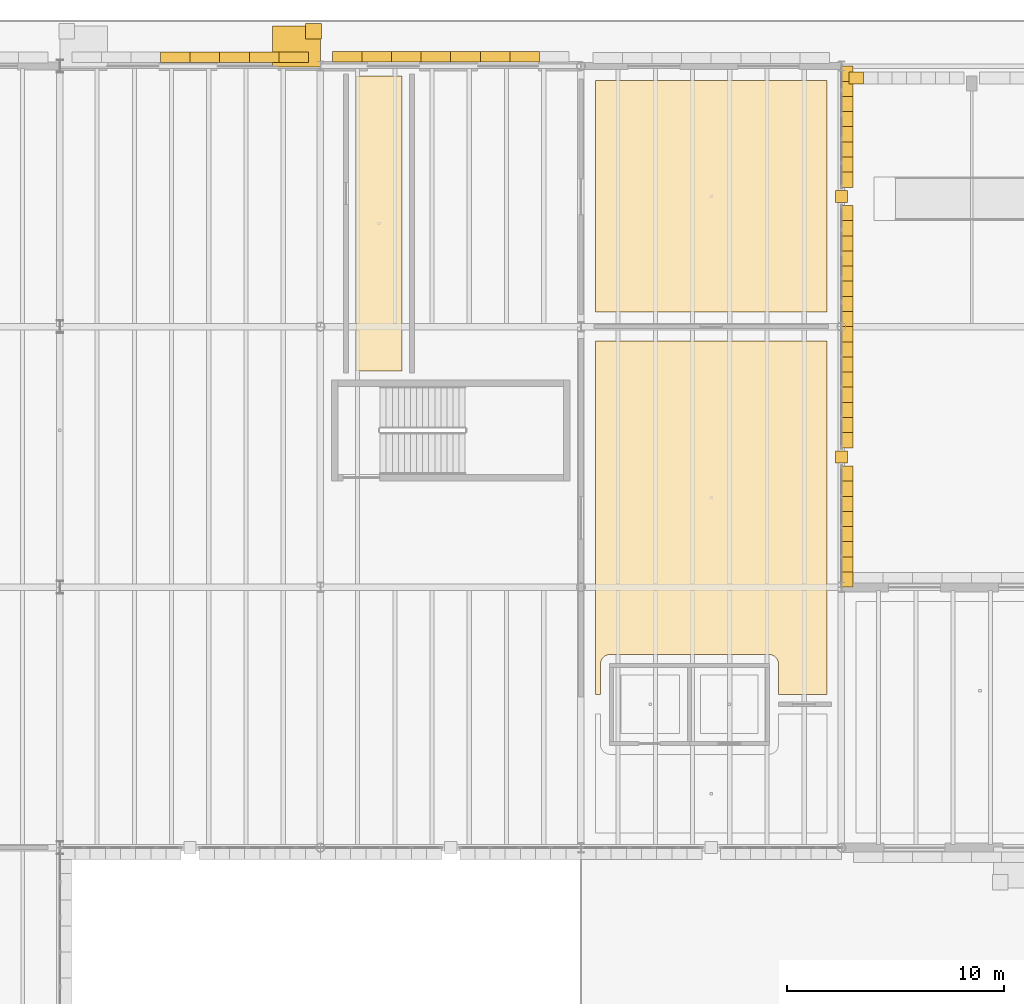
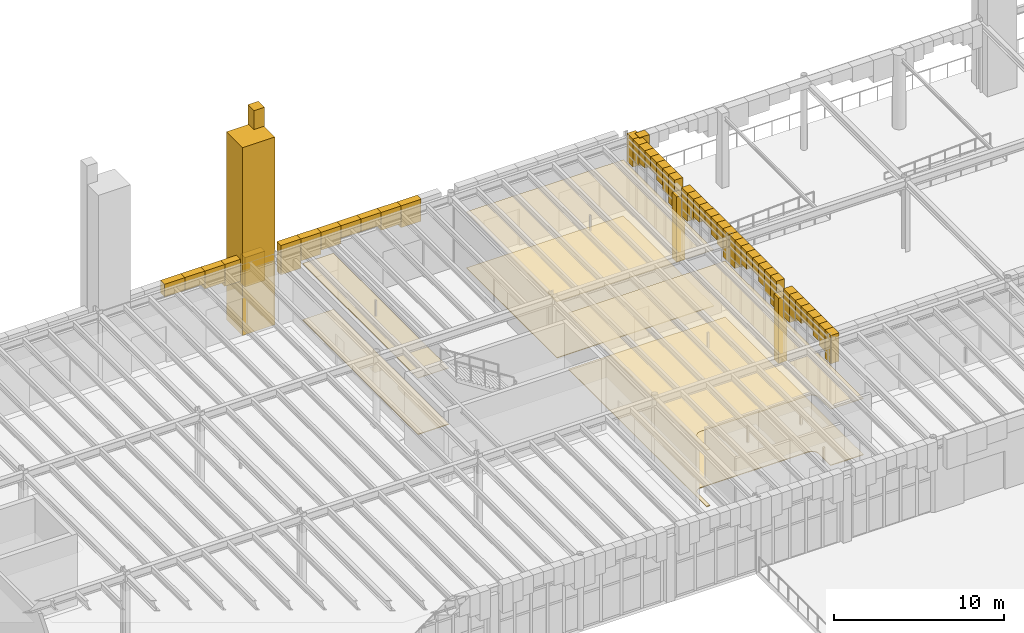
# One storey, part 82 of 103: 55 coverings.
"""IFC4 building model written with IfcOpenShell, lengths in metres."""

from ifc_helpers import new_model, si_unit, direction, frame, origin, place, context, subcontext, project, spatial, polyline, outline, extrude, material, layer, layer_set, type_object, element, save


model = new_model("IFC4")

# Units and contexts
model_context = context("Model", 3, precision=1e-05, world=origin(), true_north=direction((0.0, 1.0)))
body_context = subcontext(model_context, "Body", "Model", "MODEL_VIEW")
ifc_project = project(units=[si_unit("LENGTHUNIT", "METRE"), si_unit("AREAUNIT", "SQUARE_METRE"), si_unit("VOLUMEUNIT", "CUBIC_METRE"), si_unit("PLANEANGLEUNIT", "RADIAN"), si_unit("MASSUNIT", "GRAM", prefix="KILO")], contexts=[model_context])

# Site, building, storey
site_placement = place(None, origin())
site = spatial("IfcSite", under=ifc_project, at=site_placement, CompositionType="ELEMENT")
building_placement = place(site_placement, origin())
building = spatial("IfcBuilding", under=site, at=building_placement, Name="Zlatogorsky Bluff Art Gallery", CompositionType="ELEMENT")
storey_placement = place(building_placement, origin())
storey = spatial("IfcBuildingStorey", under=building, at=storey_placement, Name="L00", CompositionType="ELEMENT", Elevation=0.0)

# Coverings
ifc_material_1 = material(Name="Perforated Gypsum Acoustic Board", Category="gypsum")
ifc_layer_1 = layer(ifc_material_1, 0.0400390625)
ifc_layer_set_1 = layer_set([ifc_layer_1], Name="Acoustic Gallery Ceiling CLG-01")
covering_type_1 = type_object("IfcCoveringType", Name="Acoustic Gallery Ceiling CLG-01", PredefinedType="CEILING", material=ifc_layer_set_1)
covering_1_placement = place(storey_placement, frame((0.0, 0.0, 4.050048828125)))
element("IfcCovering", 1, at=covering_1_placement, inside=storey, type_object=covering_type_1, Name="Protected Exit Passage EP-07 acoustic ceiling", PredefinedType="CEILING", context=body_context, shape_type="SweptSolid", body=[
    extrude(outline(polyline([(39.75, 119.550048828125), (39.75, 105.9599609375), (37.64990234375, 105.9599609375), (37.64990234375, 119.550048828125), (39.75, 119.550048828125)])), origin(), (0.0, 0.0, 1.0), 0.0400390625),
])
covering_2_placement = place(storey_placement, frame((0.0, 0.0, 4.050048828125)))
element("IfcCovering", 2, at=covering_2_placement, inside=storey, type_object=covering_type_1, Name="Fire Command Post and Security Suite acoustic ceiling", PredefinedType="CEILING", context=body_context, shape_type="SweptSolid", body=[
    extrude(outline(polyline([(59.330078125, 119.330078125), (59.330078125, 108.669921875), (48.669921875, 108.669921875), (48.669921875, 119.330078125), (59.330078125, 119.330078125)])), origin(), (0.0, 0.0, 1.0), 0.0400390625),
])
covering_3_placement = place(storey_placement, frame((0.0, 0.0, 4.050048828125)))
element("IfcCovering", 3, at=covering_3_placement, inside=storey, type_object=covering_type_1, Name="Grand Glazed Foyer and Winter-Garden Concourse acoustic ceiling", PredefinedType="CEILING", context=body_context, shape_type="SweptSolid", body=[
    extrude(outline(polyline([(59.330078125, 91.050048828125), (57.10009765625, 91.050048828125), (57.10009765625, 92.449951171875), (57.097900390625, 92.494140625), (57.09130859375, 92.537841796875), (57.08056640625, 92.58056640625), (57.065673828125, 92.622314453125), (57.046875, 92.662109375), (57.024169921875, 92.699951171875), (56.997802734375, 92.735595703125), (56.96826171875, 92.768310546875), (56.935546875, 92.7978515625), (56.89990234375, 92.82421875), (56.862060546875, 92.846923828125), (56.822265625, 92.86572265625), (56.780517578125, 92.880615234375), (56.73779296875, 92.891357421875), (56.694091796875, 92.897705078125), (56.64990234375, 92.89990234375), (49.35009765625, 92.89990234375), (49.305908203125, 92.897705078125), (49.26220703125, 92.891357421875), (49.219482421875, 92.880615234375), (49.177734375, 92.86572265625), (49.137939453125, 92.846923828125), (49.10009765625, 92.82421875), (49.064453125, 92.7978515625), (49.03173828125, 92.768310546875), (49.002197265625, 92.735595703125), (48.975830078125, 92.699951171875), (48.953125, 92.662109375), (48.934326171875, 92.622314453125), (48.91943359375, 92.58056640625), (48.90869140625, 92.537841796875), (48.902099609375, 92.494140625), (48.89990234375, 92.449951171875), (48.89990234375, 91.050048828125), (48.669921875, 91.050048828125), (48.669921875, 107.330078125), (59.330078125, 107.330078125), (59.330078125, 91.050048828125)])), origin(), (0.0, 0.0, 1.0), 0.0400390625),
])
ifc_material_2 = material(Name="Honed Red Agra-Tone Quartzitic Sandstone", Category="masonry")
ifc_layer_2 = layer(ifc_material_2, 0.1201171875)
ifc_layer_set_2 = layer_set([ifc_layer_2], Name="Carved Sandstone Cladding CLD-02")
covering_type_2 = type_object("IfcCoveringType", Name="Carved Sandstone Cladding CLD-02", PredefinedType="CLADDING", material=ifc_layer_set_2)
covering_4_placement = place(storey_placement, frame((0.0, 0.0, 4.4453125)))
element("IfcCovering", 4, at=covering_4_placement, inside=storey, type_object=covering_type_2, Name="Pointed Mughal arch voussoir spandrel WARCH-L00-N-02-10-A.4", PredefinedType="CLADDING", context=body_context, shape_type="SweptSolid", body=[
    extrude(outline(polyline([(28.637451171875, 120.169921875), (30.0, 120.169921875), (30.0, 120.659912109375), (28.637451171875, 120.659912109375), (28.637451171875, 120.169921875)])), origin(), (0.0, 0.0, 1.0), 0.914794921875),
])
covering_5_placement = place(storey_placement, frame((0.0, 0.0, 4.4453125)))
element("IfcCovering", 5, at=covering_5_placement, inside=storey, type_object=covering_type_2, Name="Pointed Mughal arch voussoir spandrel WARCH-L00-N-02-10-A.5", PredefinedType="CLADDING", context=body_context, shape_type="SweptSolid", body=[
    extrude(outline(polyline([(30.0, 120.169921875), (31.362548828125, 120.169921875), (31.362548828125, 120.659912109375), (30.0, 120.659912109375), (30.0, 120.169921875)])), origin(), (0.0, 0.0, 1.0), 0.914794921875),
])
covering_6_placement = place(storey_placement, frame((0.0, 0.0, 4.07666015625)))
element("IfcCovering", 6, at=covering_6_placement, inside=storey, type_object=covering_type_2, Name="Pointed Mughal arch voussoir spandrel WARCH-L00-N-02-10-A.6", PredefinedType="CLADDING", context=body_context, shape_type="SweptSolid", body=[
    extrude(outline(polyline([(31.362548828125, 120.169921875), (32.72509765625, 120.169921875), (32.72509765625, 120.659912109375), (31.362548828125, 120.659912109375), (31.362548828125, 120.169921875)])), origin(), (0.0, 0.0, 1.0), 1.283447265625),
])
covering_7_placement = place(storey_placement, frame((0.0, 0.0, 3.78369140625)))
element("IfcCovering", 7, at=covering_7_placement, inside=storey, type_object=covering_type_2, Name="Pointed Mughal arch voussoir spandrel WARCH-L00-N-02-10-A.7", PredefinedType="CLADDING", context=body_context, shape_type="SweptSolid", body=[
    extrude(outline(polyline([(32.72509765625, 120.169921875), (34.08740234375, 120.169921875), (34.08740234375, 120.659912109375), (32.72509765625, 120.659912109375), (32.72509765625, 120.169921875)])), origin(), (0.0, 0.0, 1.0), 1.576416015625),
])
covering_8_placement = place(storey_placement, frame((0.0, 0.0, 3.25244140625)))
element("IfcCovering", 8, at=covering_8_placement, inside=storey, type_object=covering_type_2, Name="Pointed Mughal arch voussoir spandrel WARCH-L00-N-02-10-A.8", PredefinedType="CLADDING", context=body_context, shape_type="SweptSolid", body=[
    extrude(outline(polyline([(34.08740234375, 120.169921875), (35.449951171875, 120.169921875), (35.449951171875, 120.659912109375), (34.08740234375, 120.659912109375), (34.08740234375, 120.169921875)])), origin(), (0.0, 0.0, 1.0), 2.107666015625),
])
covering_9_placement = place(storey_placement, frame((0.0, 0.0, 3.25244140625)))
element("IfcCovering", 9, at=covering_9_placement, inside=storey, type_object=covering_type_2, Name="Pointed Mughal arch voussoir spandrel WARCH-L00-N-03-10-A.1", PredefinedType="CLADDING", context=body_context, shape_type="SweptSolid", body=[
    extrude(outline(polyline([(36.550048828125, 120.18994140625), (37.91259765625, 120.18994140625), (37.91259765625, 120.679931640625), (36.550048828125, 120.679931640625), (36.550048828125, 120.18994140625)])), origin(), (0.0, 0.0, 1.0), 2.107666015625),
])
covering_10_placement = place(storey_placement, frame((0.0, 0.0, 3.78369140625)))
element("IfcCovering", 10, at=covering_10_placement, inside=storey, type_object=covering_type_2, Name="Pointed Mughal arch voussoir spandrel WARCH-L00-N-03-10-A.2", PredefinedType="CLADDING", context=body_context, shape_type="SweptSolid", body=[
    extrude(outline(polyline([(37.91259765625, 120.18994140625), (39.27490234375, 120.18994140625), (39.27490234375, 120.679931640625), (37.91259765625, 120.679931640625), (37.91259765625, 120.18994140625)])), origin(), (0.0, 0.0, 1.0), 1.576416015625),
])
covering_11_placement = place(storey_placement, frame((0.0, 0.0, 4.07666015625)))
element("IfcCovering", 11, at=covering_11_placement, inside=storey, type_object=covering_type_2, Name="Pointed Mughal arch voussoir spandrel WARCH-L00-N-03-10-A.3", PredefinedType="CLADDING", context=body_context, shape_type="SweptSolid", body=[
    extrude(outline(polyline([(39.27490234375, 120.18994140625), (40.637451171875, 120.18994140625), (40.637451171875, 120.679931640625), (39.27490234375, 120.679931640625), (39.27490234375, 120.18994140625)])), origin(), (0.0, 0.0, 1.0), 1.283447265625),
])
covering_12_placement = place(storey_placement, frame((0.0, 0.0, 4.4453125)))
element("IfcCovering", 12, at=covering_12_placement, inside=storey, type_object=covering_type_2, Name="Pointed Mughal arch voussoir spandrel WARCH-L00-N-03-10-A.4", PredefinedType="CLADDING", context=body_context, shape_type="SweptSolid", body=[
    extrude(outline(polyline([(40.637451171875, 120.18994140625), (42.0, 120.18994140625), (42.0, 120.679931640625), (40.637451171875, 120.679931640625), (40.637451171875, 120.18994140625)])), origin(), (0.0, 0.0, 1.0), 0.914794921875),
])
covering_13_placement = place(storey_placement, frame((0.0, 0.0, 4.4453125)))
element("IfcCovering", 13, at=covering_13_placement, inside=storey, type_object=covering_type_2, Name="Pointed Mughal arch voussoir spandrel WARCH-L00-N-03-10-A.5", PredefinedType="CLADDING", context=body_context, shape_type="SweptSolid", body=[
    extrude(outline(polyline([(42.0, 120.18994140625), (43.362548828125, 120.18994140625), (43.362548828125, 120.679931640625), (42.0, 120.679931640625), (42.0, 120.18994140625)])), origin(), (0.0, 0.0, 1.0), 0.914794921875),
])
covering_14_placement = place(storey_placement, frame((0.0, 0.0, 4.07666015625)))
element("IfcCovering", 14, at=covering_14_placement, inside=storey, type_object=covering_type_2, Name="Pointed Mughal arch voussoir spandrel WARCH-L00-N-03-10-A.6", PredefinedType="CLADDING", context=body_context, shape_type="SweptSolid", body=[
    extrude(outline(polyline([(43.362548828125, 120.18994140625), (44.72509765625, 120.18994140625), (44.72509765625, 120.679931640625), (43.362548828125, 120.679931640625), (43.362548828125, 120.18994140625)])), origin(), (0.0, 0.0, 1.0), 1.283447265625),
])
covering_15_placement = place(storey_placement, frame((0.0, 0.0, 3.78369140625)))
element("IfcCovering", 15, at=covering_15_placement, inside=storey, type_object=covering_type_2, Name="Pointed Mughal arch voussoir spandrel WARCH-L00-N-03-10-A.7", PredefinedType="CLADDING", context=body_context, shape_type="SweptSolid", body=[
    extrude(outline(polyline([(44.72509765625, 120.18994140625), (46.08740234375, 120.18994140625), (46.08740234375, 120.679931640625), (44.72509765625, 120.679931640625), (44.72509765625, 120.18994140625)])), origin(), (0.0, 0.0, 1.0), 1.576416015625),
])
covering_16_placement = place(storey_placement, frame((0.0, 0.0, -0.030029296875)))
element("IfcCovering", 16, at=covering_16_placement, inside=storey, type_object=covering_type_2, Name="Mughal dalan central sandstone pier L00 E 4.9", PredefinedType="CLADDING", context=body_context, shape_type="SweptSolid", body=[
    extrude(outline(polyline([(59.719970703125, 101.719970703125), (60.280029296875, 101.719970703125), (60.280029296875, 102.280029296875), (59.719970703125, 102.280029296875), (59.719970703125, 101.719970703125)])), origin(), (0.0, 0.0, 1.0), 4.68994140625),
])
covering_17_placement = place(storey_placement, frame((0.0, 0.0, 3.327880859375)))
element("IfcCovering", 17, at=covering_17_placement, inside=storey, type_object=covering_type_2, Name="Pointed Mughal arch voussoir spandrel ARCH-CW-L00-E-04-09-A.1", PredefinedType="CLADDING", context=body_context, shape_type="SweptSolid", body=[
    extrude(outline(polyline([(59.969970703125, 96.0), (59.969970703125, 96.697509765625), (60.5400390625, 96.697509765625), (60.5400390625, 96.0), (59.969970703125, 96.0)])), origin(), (0.0, 0.0, 1.0), 2.0322265625),
])
covering_18_placement = place(storey_placement, frame((0.0, 0.0, 3.82958984375)))
element("IfcCovering", 18, at=covering_18_placement, inside=storey, type_object=covering_type_2, Name="Pointed Mughal arch voussoir spandrel ARCH-CW-L00-E-04-09-A.2", PredefinedType="CLADDING", context=body_context, shape_type="SweptSolid", body=[
    extrude(outline(polyline([(59.969970703125, 96.697509765625), (59.969970703125, 97.39501953125), (60.5400390625, 97.39501953125), (60.5400390625, 96.697509765625), (59.969970703125, 96.697509765625)])), origin(), (0.0, 0.0, 1.0), 1.530517578125),
])
covering_19_placement = place(storey_placement, frame((0.0, 0.0, 4.1064453125)))
element("IfcCovering", 19, at=covering_19_placement, inside=storey, type_object=covering_type_2, Name="Pointed Mughal arch voussoir spandrel ARCH-CW-L00-E-04-09-A.3", PredefinedType="CLADDING", context=body_context, shape_type="SweptSolid", body=[
    extrude(outline(polyline([(59.969970703125, 97.39501953125), (59.969970703125, 98.092529296875), (60.5400390625, 98.092529296875), (60.5400390625, 97.39501953125), (59.969970703125, 97.39501953125)])), origin(), (0.0, 0.0, 1.0), 1.253662109375),
])
covering_20_placement = place(storey_placement, frame((0.0, 0.0, 4.45458984375)))
element("IfcCovering", 20, at=covering_20_placement, inside=storey, type_object=covering_type_2, Name="Pointed Mughal arch voussoir spandrel ARCH-CW-L00-E-04-09-A.4", PredefinedType="CLADDING", context=body_context, shape_type="SweptSolid", body=[
    extrude(outline(polyline([(59.969970703125, 98.092529296875), (59.969970703125, 98.7900390625), (60.5400390625, 98.7900390625), (60.5400390625, 98.092529296875), (59.969970703125, 98.092529296875)])), origin(), (0.0, 0.0, 1.0), 0.905517578125),
])
covering_21_placement = place(storey_placement, frame((0.0, 0.0, 4.45458984375)))
element("IfcCovering", 21, at=covering_21_placement, inside=storey, type_object=covering_type_2, Name="Pointed Mughal arch voussoir spandrel ARCH-CW-L00-E-04-09-A.5", PredefinedType="CLADDING", context=body_context, shape_type="SweptSolid", body=[
    extrude(outline(polyline([(59.969970703125, 98.7900390625), (59.969970703125, 99.487548828125), (60.5400390625, 99.487548828125), (60.5400390625, 98.7900390625), (59.969970703125, 98.7900390625)])), origin(), (0.0, 0.0, 1.0), 0.905517578125),
])
covering_22_placement = place(storey_placement, frame((0.0, 0.0, 4.1064453125)))
element("IfcCovering", 22, at=covering_22_placement, inside=storey, type_object=covering_type_2, Name="Pointed Mughal arch voussoir spandrel ARCH-CW-L00-E-04-09-A.6", PredefinedType="CLADDING", context=body_context, shape_type="SweptSolid", body=[
    extrude(outline(polyline([(59.969970703125, 99.487548828125), (59.969970703125, 100.18505859375), (60.5400390625, 100.18505859375), (60.5400390625, 99.487548828125), (59.969970703125, 99.487548828125)])), origin(), (0.0, 0.0, 1.0), 1.253662109375),
])
covering_23_placement = place(storey_placement, frame((0.0, 0.0, 3.82958984375)))
element("IfcCovering", 23, at=covering_23_placement, inside=storey, type_object=covering_type_2, Name="Pointed Mughal arch voussoir spandrel ARCH-CW-L00-E-04-09-A.7", PredefinedType="CLADDING", context=body_context, shape_type="SweptSolid", body=[
    extrude(outline(polyline([(59.969970703125, 100.18505859375), (59.969970703125, 100.882568359375), (60.5400390625, 100.882568359375), (60.5400390625, 100.18505859375), (59.969970703125, 100.18505859375)])), origin(), (0.0, 0.0, 1.0), 1.530517578125),
])
covering_24_placement = place(storey_placement, frame((0.0, 0.0, 3.327880859375)))
element("IfcCovering", 24, at=covering_24_placement, inside=storey, type_object=covering_type_2, Name="Pointed Mughal arch voussoir spandrel ARCH-CW-L00-E-04-09-A.8", PredefinedType="CLADDING", context=body_context, shape_type="SweptSolid", body=[
    extrude(outline(polyline([(59.969970703125, 100.882568359375), (59.969970703125, 101.580078125), (60.5400390625, 101.580078125), (60.5400390625, 100.882568359375), (59.969970703125, 100.882568359375)])), origin(), (0.0, 0.0, 1.0), 2.0322265625),
])
covering_25_placement = place(storey_placement, frame((0.0, 0.0, 3.327880859375)))
element("IfcCovering", 25, at=covering_25_placement, inside=storey, type_object=covering_type_2, Name="Pointed Mughal arch voussoir spandrel ARCH-CW-L00-E-04-09-B.1", PredefinedType="CLADDING", context=body_context, shape_type="SweptSolid", body=[
    extrude(outline(polyline([(59.969970703125, 102.419921875), (59.969970703125, 103.117431640625), (60.5400390625, 103.117431640625), (60.5400390625, 102.419921875), (59.969970703125, 102.419921875)])), origin(), (0.0, 0.0, 1.0), 2.0322265625),
])
covering_26_placement = place(storey_placement, frame((0.0, 0.0, 3.82958984375)))
element("IfcCovering", 26, at=covering_26_placement, inside=storey, type_object=covering_type_2, Name="Pointed Mughal arch voussoir spandrel ARCH-CW-L00-E-04-09-B.2", PredefinedType="CLADDING", context=body_context, shape_type="SweptSolid", body=[
    extrude(outline(polyline([(59.969970703125, 103.117431640625), (59.969970703125, 103.81494140625), (60.5400390625, 103.81494140625), (60.5400390625, 103.117431640625), (59.969970703125, 103.117431640625)])), origin(), (0.0, 0.0, 1.0), 1.530517578125),
])
covering_27_placement = place(storey_placement, frame((0.0, 0.0, 4.1064453125)))
element("IfcCovering", 27, at=covering_27_placement, inside=storey, type_object=covering_type_2, Name="Pointed Mughal arch voussoir spandrel ARCH-CW-L00-E-04-09-B.3", PredefinedType="CLADDING", context=body_context, shape_type="SweptSolid", body=[
    extrude(outline(polyline([(59.969970703125, 103.81494140625), (59.969970703125, 104.512451171875), (60.5400390625, 104.512451171875), (60.5400390625, 103.81494140625), (59.969970703125, 103.81494140625)])), origin(), (0.0, 0.0, 1.0), 1.253662109375),
])
covering_28_placement = place(storey_placement, frame((0.0, 0.0, 4.45458984375)))
element("IfcCovering", 28, at=covering_28_placement, inside=storey, type_object=covering_type_2, Name="Pointed Mughal arch voussoir spandrel ARCH-CW-L00-E-04-09-B.4", PredefinedType="CLADDING", context=body_context, shape_type="SweptSolid", body=[
    extrude(outline(polyline([(59.969970703125, 104.512451171875), (59.969970703125, 105.2099609375), (60.5400390625, 105.2099609375), (60.5400390625, 104.512451171875), (59.969970703125, 104.512451171875)])), origin(), (0.0, 0.0, 1.0), 0.905517578125),
])
covering_29_placement = place(storey_placement, frame((0.0, 0.0, 4.45458984375)))
element("IfcCovering", 29, at=covering_29_placement, inside=storey, type_object=covering_type_2, Name="Pointed Mughal arch voussoir spandrel ARCH-CW-L00-E-04-09-B.5", PredefinedType="CLADDING", context=body_context, shape_type="SweptSolid", body=[
    extrude(outline(polyline([(59.969970703125, 105.2099609375), (59.969970703125, 105.907470703125), (60.5400390625, 105.907470703125), (60.5400390625, 105.2099609375), (59.969970703125, 105.2099609375)])), origin(), (0.0, 0.0, 1.0), 0.905517578125),
])
covering_30_placement = place(storey_placement, frame((0.0, 0.0, 4.1064453125)))
element("IfcCovering", 30, at=covering_30_placement, inside=storey, type_object=covering_type_2, Name="Pointed Mughal arch voussoir spandrel ARCH-CW-L00-E-04-09-B.6", PredefinedType="CLADDING", context=body_context, shape_type="SweptSolid", body=[
    extrude(outline(polyline([(59.969970703125, 105.907470703125), (59.969970703125, 106.60498046875), (60.5400390625, 106.60498046875), (60.5400390625, 105.907470703125), (59.969970703125, 105.907470703125)])), origin(), (0.0, 0.0, 1.0), 1.253662109375),
])
covering_31_placement = place(storey_placement, frame((0.0, 0.0, 3.82958984375)))
element("IfcCovering", 31, at=covering_31_placement, inside=storey, type_object=covering_type_2, Name="Pointed Mughal arch voussoir spandrel ARCH-CW-L00-E-04-09-B.7", PredefinedType="CLADDING", context=body_context, shape_type="SweptSolid", body=[
    extrude(outline(polyline([(59.969970703125, 106.60498046875), (59.969970703125, 107.302490234375), (60.5400390625, 107.302490234375), (60.5400390625, 106.60498046875), (59.969970703125, 106.60498046875)])), origin(), (0.0, 0.0, 1.0), 1.530517578125),
])
covering_32_placement = place(storey_placement, frame((0.0, 0.0, 3.327880859375)))
element("IfcCovering", 32, at=covering_32_placement, inside=storey, type_object=covering_type_2, Name="Pointed Mughal arch voussoir spandrel ARCH-CW-L00-E-04-09-B.8", PredefinedType="CLADDING", context=body_context, shape_type="SweptSolid", body=[
    extrude(outline(polyline([(59.969970703125, 107.302490234375), (59.969970703125, 108.0), (60.5400390625, 108.0), (60.5400390625, 107.302490234375), (59.969970703125, 107.302490234375)])), origin(), (0.0, 0.0, 1.0), 2.0322265625),
])
covering_33_placement = place(storey_placement, frame((0.0, 0.0, -0.030029296875)))
element("IfcCovering", 33, at=covering_33_placement, inside=storey, type_object=covering_type_2, Name="Mughal dalan central sandstone pier L00 E 4.10", PredefinedType="CLADDING", context=body_context, shape_type="SweptSolid", body=[
    extrude(outline(polyline([(59.719970703125, 113.719970703125), (60.280029296875, 113.719970703125), (60.280029296875, 114.280029296875), (59.719970703125, 114.280029296875), (59.719970703125, 113.719970703125)])), origin(), (0.0, 0.0, 1.0), 4.68994140625),
])
covering_34_placement = place(storey_placement, frame((0.0, 0.0, 3.327880859375)))
element("IfcCovering", 34, at=covering_34_placement, inside=storey, type_object=covering_type_2, Name="Pointed Mughal arch voussoir spandrel ARCH-CW-L00-E-04-10-A.1", PredefinedType="CLADDING", context=body_context, shape_type="SweptSolid", body=[
    extrude(outline(polyline([(59.969970703125, 108.0), (59.969970703125, 108.697509765625), (60.5400390625, 108.697509765625), (60.5400390625, 108.0), (59.969970703125, 108.0)])), origin(), (0.0, 0.0, 1.0), 2.0322265625),
])
covering_35_placement = place(storey_placement, frame((0.0, 0.0, 3.82958984375)))
element("IfcCovering", 35, at=covering_35_placement, inside=storey, type_object=covering_type_2, Name="Pointed Mughal arch voussoir spandrel ARCH-CW-L00-E-04-10-A.2", PredefinedType="CLADDING", context=body_context, shape_type="SweptSolid", body=[
    extrude(outline(polyline([(59.969970703125, 108.697509765625), (59.969970703125, 109.39501953125), (60.5400390625, 109.39501953125), (60.5400390625, 108.697509765625), (59.969970703125, 108.697509765625)])), origin(), (0.0, 0.0, 1.0), 1.530517578125),
])
covering_36_placement = place(storey_placement, frame((0.0, 0.0, 4.1064453125)))
element("IfcCovering", 36, at=covering_36_placement, inside=storey, type_object=covering_type_2, Name="Pointed Mughal arch voussoir spandrel ARCH-CW-L00-E-04-10-A.3", PredefinedType="CLADDING", context=body_context, shape_type="SweptSolid", body=[
    extrude(outline(polyline([(59.969970703125, 109.39501953125), (59.969970703125, 110.092529296875), (60.5400390625, 110.092529296875), (60.5400390625, 109.39501953125), (59.969970703125, 109.39501953125)])), origin(), (0.0, 0.0, 1.0), 1.253662109375),
])
covering_37_placement = place(storey_placement, frame((0.0, 0.0, 4.45458984375)))
element("IfcCovering", 37, at=covering_37_placement, inside=storey, type_object=covering_type_2, Name="Pointed Mughal arch voussoir spandrel ARCH-CW-L00-E-04-10-A.4", PredefinedType="CLADDING", context=body_context, shape_type="SweptSolid", body=[
    extrude(outline(polyline([(59.969970703125, 110.092529296875), (59.969970703125, 110.7900390625), (60.5400390625, 110.7900390625), (60.5400390625, 110.092529296875), (59.969970703125, 110.092529296875)])), origin(), (0.0, 0.0, 1.0), 0.905517578125),
])
covering_38_placement = place(storey_placement, frame((0.0, 0.0, 4.45458984375)))
element("IfcCovering", 38, at=covering_38_placement, inside=storey, type_object=covering_type_2, Name="Pointed Mughal arch voussoir spandrel ARCH-CW-L00-E-04-10-A.5", PredefinedType="CLADDING", context=body_context, shape_type="SweptSolid", body=[
    extrude(outline(polyline([(59.969970703125, 110.7900390625), (59.969970703125, 111.487548828125), (60.5400390625, 111.487548828125), (60.5400390625, 110.7900390625), (59.969970703125, 110.7900390625)])), origin(), (0.0, 0.0, 1.0), 0.905517578125),
])
covering_39_placement = place(storey_placement, frame((0.0, 0.0, 4.1064453125)))
element("IfcCovering", 39, at=covering_39_placement, inside=storey, type_object=covering_type_2, Name="Pointed Mughal arch voussoir spandrel ARCH-CW-L00-E-04-10-A.6", PredefinedType="CLADDING", context=body_context, shape_type="SweptSolid", body=[
    extrude(outline(polyline([(59.969970703125, 111.487548828125), (59.969970703125, 112.18505859375), (60.5400390625, 112.18505859375), (60.5400390625, 111.487548828125), (59.969970703125, 111.487548828125)])), origin(), (0.0, 0.0, 1.0), 1.253662109375),
])
covering_40_placement = place(storey_placement, frame((0.0, 0.0, 3.82958984375)))
element("IfcCovering", 40, at=covering_40_placement, inside=storey, type_object=covering_type_2, Name="Pointed Mughal arch voussoir spandrel ARCH-CW-L00-E-04-10-A.7", PredefinedType="CLADDING", context=body_context, shape_type="SweptSolid", body=[
    extrude(outline(polyline([(59.969970703125, 112.18505859375), (59.969970703125, 112.882568359375), (60.5400390625, 112.882568359375), (60.5400390625, 112.18505859375), (59.969970703125, 112.18505859375)])), origin(), (0.0, 0.0, 1.0), 1.530517578125),
])
covering_41_placement = place(storey_placement, frame((0.0, 0.0, 3.327880859375)))
element("IfcCovering", 41, at=covering_41_placement, inside=storey, type_object=covering_type_2, Name="Pointed Mughal arch voussoir spandrel ARCH-CW-L00-E-04-10-A.8", PredefinedType="CLADDING", context=body_context, shape_type="SweptSolid", body=[
    extrude(outline(polyline([(59.969970703125, 112.882568359375), (59.969970703125, 113.580078125), (60.5400390625, 113.580078125), (60.5400390625, 112.882568359375), (59.969970703125, 112.882568359375)])), origin(), (0.0, 0.0, 1.0), 2.0322265625),
])
covering_42_placement = place(storey_placement, frame((0.0, 0.0, 3.327880859375)))
element("IfcCovering", 42, at=covering_42_placement, inside=storey, type_object=covering_type_2, Name="Pointed Mughal arch voussoir spandrel ARCH-CW-L00-E-04-10-B.1", PredefinedType="CLADDING", context=body_context, shape_type="SweptSolid", body=[
    extrude(outline(polyline([(59.969970703125, 114.419921875), (59.969970703125, 115.117431640625), (60.5400390625, 115.117431640625), (60.5400390625, 114.419921875), (59.969970703125, 114.419921875)])), origin(), (0.0, 0.0, 1.0), 2.0322265625),
])
covering_43_placement = place(storey_placement, frame((0.0, 0.0, 3.82958984375)))
element("IfcCovering", 43, at=covering_43_placement, inside=storey, type_object=covering_type_2, Name="Pointed Mughal arch voussoir spandrel ARCH-CW-L00-E-04-10-B.2", PredefinedType="CLADDING", context=body_context, shape_type="SweptSolid", body=[
    extrude(outline(polyline([(59.969970703125, 115.117431640625), (59.969970703125, 115.81494140625), (60.5400390625, 115.81494140625), (60.5400390625, 115.117431640625), (59.969970703125, 115.117431640625)])), origin(), (0.0, 0.0, 1.0), 1.530517578125),
])
covering_44_placement = place(storey_placement, frame((0.0, 0.0, 4.1064453125)))
element("IfcCovering", 44, at=covering_44_placement, inside=storey, type_object=covering_type_2, Name="Pointed Mughal arch voussoir spandrel ARCH-CW-L00-E-04-10-B.3", PredefinedType="CLADDING", context=body_context, shape_type="SweptSolid", body=[
    extrude(outline(polyline([(59.969970703125, 115.81494140625), (59.969970703125, 116.512451171875), (60.5400390625, 116.512451171875), (60.5400390625, 115.81494140625), (59.969970703125, 115.81494140625)])), origin(), (0.0, 0.0, 1.0), 1.253662109375),
])
covering_45_placement = place(storey_placement, frame((0.0, 0.0, 4.45458984375)))
element("IfcCovering", 45, at=covering_45_placement, inside=storey, type_object=covering_type_2, Name="Pointed Mughal arch voussoir spandrel ARCH-CW-L00-E-04-10-B.4", PredefinedType="CLADDING", context=body_context, shape_type="SweptSolid", body=[
    extrude(outline(polyline([(59.969970703125, 116.512451171875), (59.969970703125, 117.2099609375), (60.5400390625, 117.2099609375), (60.5400390625, 116.512451171875), (59.969970703125, 116.512451171875)])), origin(), (0.0, 0.0, 1.0), 0.905517578125),
])
covering_46_placement = place(storey_placement, frame((0.0, 0.0, 4.45458984375)))
element("IfcCovering", 46, at=covering_46_placement, inside=storey, type_object=covering_type_2, Name="Pointed Mughal arch voussoir spandrel ARCH-CW-L00-E-04-10-B.5", PredefinedType="CLADDING", context=body_context, shape_type="SweptSolid", body=[
    extrude(outline(polyline([(59.969970703125, 117.2099609375), (59.969970703125, 117.907470703125), (60.5400390625, 117.907470703125), (60.5400390625, 117.2099609375), (59.969970703125, 117.2099609375)])), origin(), (0.0, 0.0, 1.0), 0.905517578125),
])
covering_47_placement = place(storey_placement, frame((0.0, 0.0, 4.1064453125)))
element("IfcCovering", 47, at=covering_47_placement, inside=storey, type_object=covering_type_2, Name="Pointed Mughal arch voussoir spandrel ARCH-CW-L00-E-04-10-B.6", PredefinedType="CLADDING", context=body_context, shape_type="SweptSolid", body=[
    extrude(outline(polyline([(59.969970703125, 117.907470703125), (59.969970703125, 118.60498046875), (60.5400390625, 118.60498046875), (60.5400390625, 117.907470703125), (59.969970703125, 117.907470703125)])), origin(), (0.0, 0.0, 1.0), 1.253662109375),
])
covering_48_placement = place(storey_placement, frame((0.0, 0.0, 3.82958984375)))
element("IfcCovering", 48, at=covering_48_placement, inside=storey, type_object=covering_type_2, Name="Pointed Mughal arch voussoir spandrel ARCH-CW-L00-E-04-10-B.7", PredefinedType="CLADDING", context=body_context, shape_type="SweptSolid", body=[
    extrude(outline(polyline([(59.969970703125, 118.60498046875), (59.969970703125, 119.302490234375), (60.5400390625, 119.302490234375), (60.5400390625, 118.60498046875), (59.969970703125, 118.60498046875)])), origin(), (0.0, 0.0, 1.0), 1.530517578125),
])
covering_49_placement = place(storey_placement, frame((0.0, 0.0, 3.327880859375)))
element("IfcCovering", 49, at=covering_49_placement, inside=storey, type_object=covering_type_2, Name="Pointed Mughal arch voussoir spandrel ARCH-CW-L00-E-04-10-B.8", PredefinedType="CLADDING", context=body_context, shape_type="SweptSolid", body=[
    extrude(outline(polyline([(59.969970703125, 119.302490234375), (59.969970703125, 120.0), (60.5400390625, 120.0), (60.5400390625, 119.302490234375), (59.969970703125, 119.302490234375)])), origin(), (0.0, 0.0, 1.0), 2.0322265625),
])
covering_50_placement = place(storey_placement, origin())
element("IfcCovering", 50, at=covering_50_placement, inside=storey, type_object=covering_type_2, Name="Monumental Pishtaq portal pier PISHTAQ-N-MAIN.R", PredefinedType="CLADDING", context=body_context, shape_type="SweptSolid", body=[
    extrude(outline(polyline([(33.800048828125, 119.9599609375), (36.0, 119.9599609375), (36.0, 121.85009765625), (33.800048828125, 121.85009765625), (33.800048828125, 119.9599609375)])), origin(), (0.0, 0.0, 1.0), 13.5),
])
covering_51_placement = place(storey_placement, frame((0.0, 0.0, 3.780029296875)))
element("IfcCovering", 51, at=covering_51_placement, inside=storey, type_object=covering_type_2, Name="Pointed Mughal arch voussoir spandrel DALAN-FC-01.1", PredefinedType="CLADDING", context=body_context, shape_type="SweptSolid", body=[
    extrude(outline(polyline([(60.35009765625, 119.169921875), (61.012451171875, 119.169921875), (61.012451171875, 119.719970703125), (60.35009765625, 119.719970703125), (60.35009765625, 119.169921875)])), origin(), (0.0, 0.0, 1.0), 1.619873046875),
])
ifc_material_3 = material(Name="Polished Ural Marble Terrazzo", Category="masonry")
ifc_layer_3 = layer(ifc_material_3, 0.050048828125)
ifc_layer_set_3 = layer_set([ifc_layer_3], Name="Terrazzo Gallery Flooring FLR-01")
covering_type_3 = type_object("IfcCoveringType", Name="Terrazzo Gallery Flooring FLR-01", PredefinedType="FLOORING", material=ifc_layer_set_3)
covering_52_placement = place(storey_placement, origin())
element("IfcCovering", 52, at=covering_52_placement, inside=storey, type_object=covering_type_3, Name="Protected Exit Passage EP-07 terrazzo floor finish", PredefinedType="FLOORING", context=body_context, shape_type="SweptSolid", body=[
    extrude(outline(polyline([(39.75, 119.550048828125), (39.75, 105.9599609375), (37.64990234375, 105.9599609375), (37.64990234375, 119.550048828125), (39.75, 119.550048828125)])), origin(), (0.0, 0.0, 1.0), 0.050048828125),
])
covering_53_placement = place(storey_placement, origin())
element("IfcCovering", 53, at=covering_53_placement, inside=storey, type_object=covering_type_3, Name="Fire Command Post and Security Suite terrazzo floor finish", PredefinedType="FLOORING", context=body_context, shape_type="SweptSolid", body=[
    extrude(outline(polyline([(59.330078125, 119.330078125), (59.330078125, 108.669921875), (48.669921875, 108.669921875), (48.669921875, 119.330078125), (59.330078125, 119.330078125)])), origin(), (0.0, 0.0, 1.0), 0.050048828125),
])
covering_54_placement = place(storey_placement, origin())
element("IfcCovering", 54, at=covering_54_placement, inside=storey, type_object=covering_type_3, Name="Grand Glazed Foyer and Winter-Garden Concourse terrazzo floor finish", PredefinedType="FLOORING", context=body_context, shape_type="SweptSolid", body=[
    extrude(outline(polyline([(59.330078125, 91.050048828125), (57.10009765625, 91.050048828125), (57.10009765625, 92.449951171875), (57.097900390625, 92.494140625), (57.09130859375, 92.537841796875), (57.08056640625, 92.58056640625), (57.065673828125, 92.622314453125), (57.046875, 92.662109375), (57.024169921875, 92.699951171875), (56.997802734375, 92.735595703125), (56.96826171875, 92.768310546875), (56.935546875, 92.7978515625), (56.89990234375, 92.82421875), (56.862060546875, 92.846923828125), (56.822265625, 92.86572265625), (56.780517578125, 92.880615234375), (56.73779296875, 92.891357421875), (56.694091796875, 92.897705078125), (56.64990234375, 92.89990234375), (49.35009765625, 92.89990234375), (49.305908203125, 92.897705078125), (49.26220703125, 92.891357421875), (49.219482421875, 92.880615234375), (49.177734375, 92.86572265625), (49.137939453125, 92.846923828125), (49.10009765625, 92.82421875), (49.064453125, 92.7978515625), (49.03173828125, 92.768310546875), (49.002197265625, 92.735595703125), (48.975830078125, 92.699951171875), (48.953125, 92.662109375), (48.934326171875, 92.622314453125), (48.91943359375, 92.58056640625), (48.90869140625, 92.537841796875), (48.902099609375, 92.494140625), (48.89990234375, 92.449951171875), (48.89990234375, 91.050048828125), (48.669921875, 91.050048828125), (48.669921875, 107.330078125), (59.330078125, 107.330078125), (59.330078125, 91.050048828125)])), origin(), (0.0, 0.0, 1.0), 0.050048828125),
])
ifc_material_4 = material(Name="Patinated Architectural Bronze Fin", Category="metal")
ifc_layer_4 = layer(ifc_material_4, 0.110107421875)
ifc_layer_set_4 = layer_set([ifc_layer_4], Name="Vertical Gallery Fin FIN-01")
covering_type_4 = type_object("IfcCoveringType", Name="Vertical Gallery Fin FIN-01", PredefinedType="CLADDING", material=ifc_layer_set_4)
covering_55_placement = place(storey_placement, origin())
element("IfcCovering", 55, at=covering_55_placement, inside=storey, type_object=covering_type_4, Name="Pishtaq corner guldasta turret PISHTAQ-N-MAIN.R", PredefinedType="CLADDING", context=body_context, shape_type="SweptSolid", body=[
    extrude(outline(polyline([(35.320068359375, 121.239990234375), (36.0400390625, 121.239990234375), (36.0400390625, 121.9599609375), (35.320068359375, 121.9599609375), (35.320068359375, 121.239990234375)])), origin(), (0.0, 0.0, 1.0), 14.85009765625),
])

save(model, "model.ifc")
